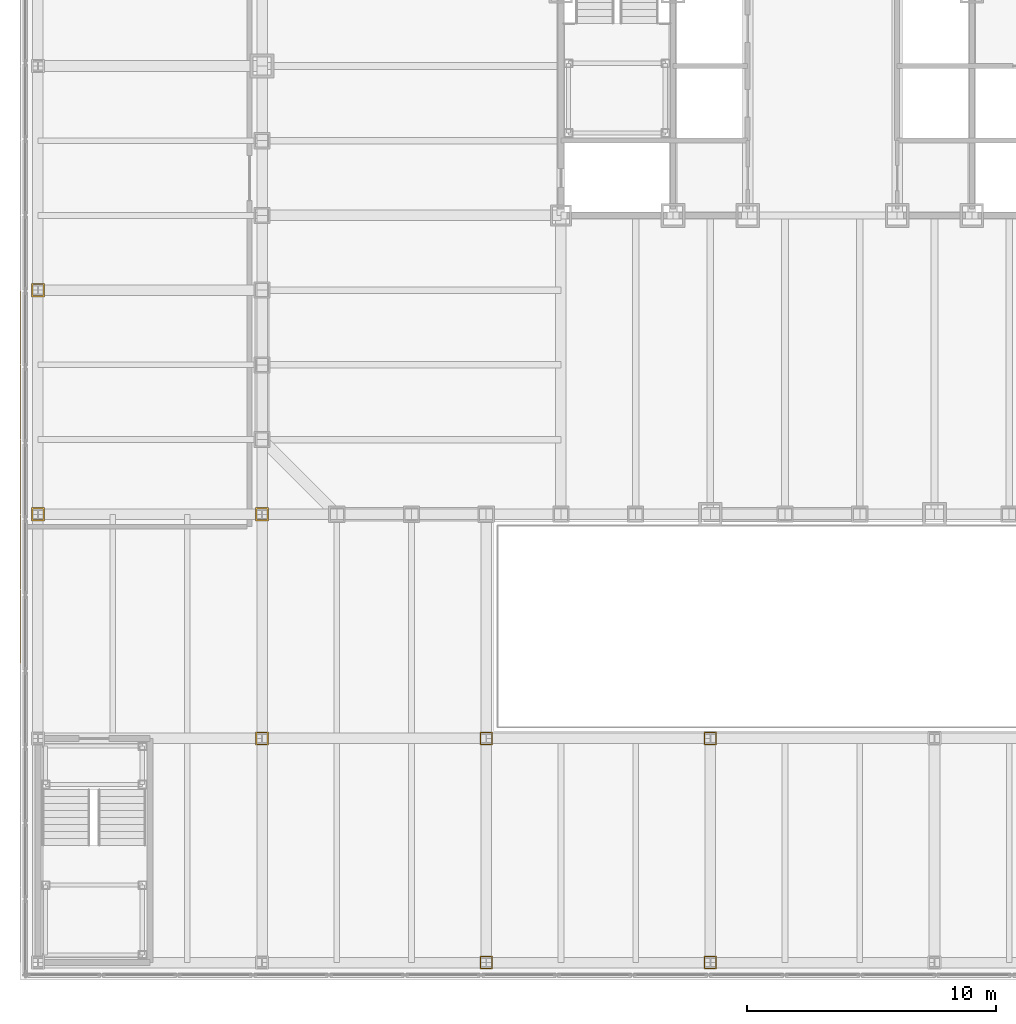
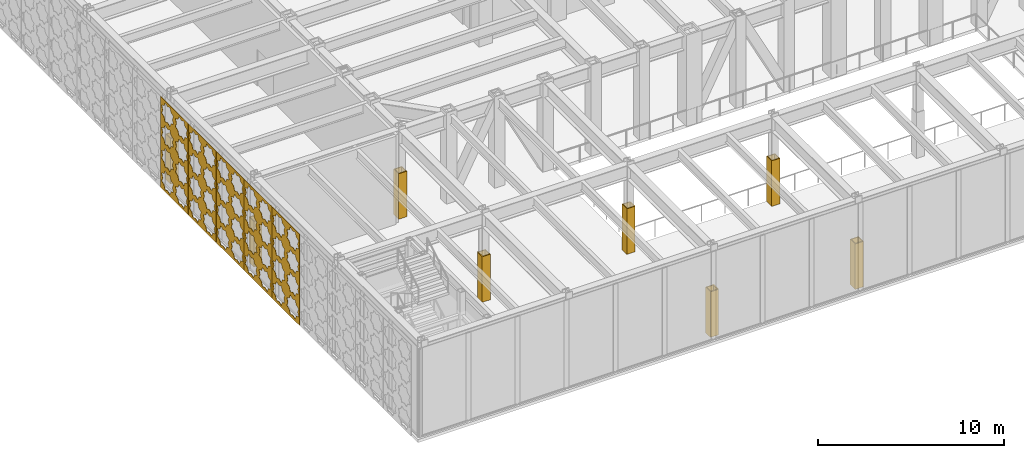
# One storey, part 24 of 32: 8 coverings, 5 shading devices.
"""IFC4 building model written with IfcOpenShell, lengths in metres."""

from ifc_helpers import new_model, si_unit, direction, frame, origin, place, context, subcontext, project, spatial, polyline, outline, extrude, material, layer, layer_set, type_object, element, save


model = new_model("IFC4")

# Units and contexts
model_context = context("Model", 3, precision=1e-05, world=origin(), true_north=direction((0.0, 1.0)))
body_context = subcontext(model_context, "Body", "Model", "MODEL_VIEW")
ifc_project = project(units=[si_unit("LENGTHUNIT", "METRE"), si_unit("AREAUNIT", "SQUARE_METRE"), si_unit("VOLUMEUNIT", "CUBIC_METRE"), si_unit("PLANEANGLEUNIT", "RADIAN"), si_unit("MASSUNIT", "GRAM", prefix="KILO")], contexts=[model_context])

# Site, building, storey
site_placement = place(None, origin())
site = spatial("IfcSite", under=ifc_project, at=site_placement, CompositionType="ELEMENT")
building_placement = place(site_placement, origin())
building = spatial("IfcBuilding", under=site, at=building_placement, Name="Chuquiago Exchange Tower", CompositionType="ELEMENT")
storey_placement = place(building_placement, frame((0.0, 0.0, 13.5)))
storey = spatial("IfcBuildingStorey", under=building, at=storey_placement, Name="L02", CompositionType="ELEMENT", Elevation=13.5)

# Coverings
ifc_material_1 = material(Name="Pale metal sheet casing on rails", Category="aluminium")
ifc_layer_1 = layer(ifc_material_1, 0.050048828125)
ifc_layer_set_1 = layer_set([ifc_layer_1], Name="CS1 column casing 50")
covering_type = type_object("IfcCoveringType", Name="CS1 column casing 50", PredefinedType="CLADDING", material=ifc_layer_set_1)
covering_1_placement = place(storey_placement, origin())
element("IfcCovering", 1, at=covering_1_placement, inside=storey, type_object=covering_type, Name="Column casing L02", PredefinedType="CLADDING", context=body_context, shape_type="SweptSolid", body=[
    extrude(outline(polyline([(-9.255615234375, -0.26708984375), (-8.744384765625, -0.26708984375), (-8.744384765625, 0.26708984375), (-9.255615234375, 0.26708984375), (-9.255615234375, -0.26708984375)]), holes=[polyline([(-9.205810546875, -0.21728515625), (-9.205810546875, 0.21728515625), (-8.794189453125, 0.21728515625), (-8.794189453125, -0.21728515625), (-9.205810546875, -0.21728515625)])]), origin(), (0.0, 0.0, 1.0), 3.0),
])
covering_2_placement = place(storey_placement, origin())
element("IfcCovering", 2, at=covering_2_placement, inside=storey, type_object=covering_type, Name="Column casing L02", PredefinedType="CLADDING", context=body_context, shape_type="SweptSolid", body=[
    extrude(outline(polyline([(-9.255615234375, 8.73291015625), (-8.744384765625, 8.73291015625), (-8.744384765625, 9.26708984375), (-9.255615234375, 9.26708984375), (-9.255615234375, 8.73291015625)]), holes=[polyline([(-9.205810546875, 8.78271484375), (-9.205810546875, 9.21728515625), (-8.794189453125, 9.21728515625), (-8.794189453125, 8.78271484375), (-9.205810546875, 8.78271484375)])]), origin(), (0.0, 0.0, 1.0), 3.0),
])
covering_3_placement = place(storey_placement, origin())
element("IfcCovering", 3, at=covering_3_placement, inside=storey, type_object=covering_type, Name="Column casing L02", PredefinedType="CLADDING", context=body_context, shape_type="SweptSolid", body=[
    extrude(outline(polyline([(-0.255615234375, -9.26708984375), (0.255615234375, -9.26708984375), (0.255615234375, -8.73291015625), (-0.255615234375, -8.73291015625), (-0.255615234375, -9.26708984375)]), holes=[polyline([(-0.205810546875, -9.21728515625), (-0.205810546875, -8.78271484375), (0.205810546875, -8.78271484375), (0.205810546875, -9.21728515625), (-0.205810546875, -9.21728515625)])]), origin(), (0.0, 0.0, 1.0), 3.0),
])
covering_4_placement = place(storey_placement, origin())
element("IfcCovering", 4, at=covering_4_placement, inside=storey, type_object=covering_type, Name="Column casing L02", PredefinedType="CLADDING", context=body_context, shape_type="SweptSolid", body=[
    extrude(outline(polyline([(-0.255615234375, -0.26708984375), (0.255615234375, -0.26708984375), (0.255615234375, 0.26708984375), (-0.255615234375, 0.26708984375), (-0.255615234375, -0.26708984375)]), holes=[polyline([(-0.205810546875, -0.21728515625), (-0.205810546875, 0.21728515625), (0.205810546875, 0.21728515625), (0.205810546875, -0.21728515625), (-0.205810546875, -0.21728515625)])]), origin(), (0.0, 0.0, 1.0), 3.0),
])
covering_5_placement = place(storey_placement, origin())
element("IfcCovering", 5, at=covering_5_placement, inside=storey, type_object=covering_type, Name="Column casing L02", PredefinedType="CLADDING", context=body_context, shape_type="SweptSolid", body=[
    extrude(outline(polyline([(8.744384765625, -18.26708984375), (9.255615234375, -18.26708984375), (9.255615234375, -17.73291015625), (8.744384765625, -17.73291015625), (8.744384765625, -18.26708984375)]), holes=[polyline([(8.794189453125, -18.21728515625), (8.794189453125, -17.78271484375), (9.205810546875, -17.78271484375), (9.205810546875, -18.21728515625), (8.794189453125, -18.21728515625)])]), origin(), (0.0, 0.0, 1.0), 3.0),
])
covering_6_placement = place(storey_placement, origin())
element("IfcCovering", 6, at=covering_6_placement, inside=storey, type_object=covering_type, Name="Column casing L02", PredefinedType="CLADDING", context=body_context, shape_type="SweptSolid", body=[
    extrude(outline(polyline([(8.744384765625, -9.26708984375), (9.255615234375, -9.26708984375), (9.255615234375, -8.73291015625), (8.744384765625, -8.73291015625), (8.744384765625, -9.26708984375)]), holes=[polyline([(8.794189453125, -9.21728515625), (8.794189453125, -8.78271484375), (9.205810546875, -8.78271484375), (9.205810546875, -9.21728515625), (8.794189453125, -9.21728515625)])]), origin(), (0.0, 0.0, 1.0), 3.0),
])
covering_7_placement = place(storey_placement, origin())
element("IfcCovering", 7, at=covering_7_placement, inside=storey, type_object=covering_type, Name="Column casing L02", PredefinedType="CLADDING", context=body_context, shape_type="SweptSolid", body=[
    extrude(outline(polyline([(17.744384765625, -18.26708984375), (18.255615234375, -18.26708984375), (18.255615234375, -17.73291015625), (17.744384765625, -17.73291015625), (17.744384765625, -18.26708984375)]), holes=[polyline([(17.794189453125, -18.21728515625), (17.794189453125, -17.78271484375), (18.205810546875, -17.78271484375), (18.205810546875, -18.21728515625), (17.794189453125, -18.21728515625)])]), origin(), (0.0, 0.0, 1.0), 3.0),
])
covering_8_placement = place(storey_placement, origin())
element("IfcCovering", 8, at=covering_8_placement, inside=storey, type_object=covering_type, Name="Column casing L02", PredefinedType="CLADDING", context=body_context, shape_type="SweptSolid", body=[
    extrude(outline(polyline([(17.744384765625, -9.26708984375), (18.255615234375, -9.26708984375), (18.255615234375, -8.73291015625), (17.744384765625, -8.73291015625), (17.744384765625, -9.26708984375)]), holes=[polyline([(17.794189453125, -9.21728515625), (17.794189453125, -8.78271484375), (18.205810546875, -8.78271484375), (18.205810546875, -9.21728515625), (17.794189453125, -9.21728515625)])]), origin(), (0.0, 0.0, 1.0), 3.0),
])

# Shading devices
ifc_material_2 = material(Name="Pale metal, perforated in an eight-point star pattern", Category="aluminium")
ifc_layer_2 = layer(ifc_material_2, 0.02001953125)
ifc_layer_set_2 = layer_set([ifc_layer_2], Name="SC1 mashrabiya screen 20")
shading_device_type = type_object("IfcShadingDeviceType", Name="SC1 mashrabiya screen 20", PredefinedType="SHUTTER", material=ifc_layer_set_2)
shading_device_1_placement = place(storey_placement, frame((-9.699951171875, -3.010009765625, -0.199951171875), z_axis=(0.0, 0.0, 1.0), x_axis=(0.0, -1.0, 0.0)))
element("IfcShadingDevice", 9, at=shading_device_1_placement, inside=storey, type_object=shading_device_type, Name="Mashrabiya screen L02 W 5", PredefinedType="SHUTTER", context=body_context, shape_type="SweptSolid", body=[
    extrude(outline(polyline([(0.0, 0.0), (2.97998046875, 0.0), (2.97998046875, 6.0), (0.0, 6.0), (0.0, 0.0)]), holes=[polyline([(1.26953125, 0.764892578125), (1.378173828125, 1.02734375), (1.115966796875, 1.135986328125), (1.00732421875, 1.398193359375), (0.7451171875, 1.28955078125), (0.482666015625, 1.398193359375), (0.3740234375, 1.135986328125), (0.11181640625, 1.02734375), (0.220458984375, 0.764892578125), (0.11181640625, 0.502685546875), (0.3740234375, 0.39404296875), (0.482666015625, 0.1318359375), (0.7451171875, 0.240234375), (1.00732421875, 0.1318359375), (1.115966796875, 0.39404296875), (1.378173828125, 0.502685546875), (1.26953125, 0.764892578125)]), polyline([(2.759521484375, 0.764892578125), (2.8681640625, 1.02734375), (2.60595703125, 1.135986328125), (2.497314453125, 1.398193359375), (2.235107421875, 1.28955078125), (1.97265625, 1.398193359375), (1.864013671875, 1.135986328125), (1.601806640625, 1.02734375), (1.71044921875, 0.764892578125), (1.601806640625, 0.502685546875), (1.864013671875, 0.39404296875), (1.97265625, 0.1318359375), (2.235107421875, 0.240234375), (2.497314453125, 0.1318359375), (2.60595703125, 0.39404296875), (2.8681640625, 0.502685546875), (2.759521484375, 0.764892578125)]), polyline([(1.26953125, 2.2548828125), (1.378173828125, 2.517333984375), (1.115966796875, 2.6259765625), (1.00732421875, 2.88818359375), (0.7451171875, 2.779541015625), (0.482666015625, 2.88818359375), (0.3740234375, 2.6259765625), (0.11181640625, 2.517333984375), (0.220458984375, 2.2548828125), (0.11181640625, 1.99267578125), (0.3740234375, 1.884033203125), (0.482666015625, 1.621826171875), (0.7451171875, 1.73046875), (1.00732421875, 1.621826171875), (1.115966796875, 1.884033203125), (1.378173828125, 1.99267578125), (1.26953125, 2.2548828125)]), polyline([(2.759521484375, 2.2548828125), (2.8681640625, 2.517333984375), (2.60595703125, 2.6259765625), (2.497314453125, 2.88818359375), (2.235107421875, 2.779541015625), (1.97265625, 2.88818359375), (1.864013671875, 2.6259765625), (1.601806640625, 2.517333984375), (1.71044921875, 2.2548828125), (1.601806640625, 1.99267578125), (1.864013671875, 1.884033203125), (1.97265625, 1.621826171875), (2.235107421875, 1.73046875), (2.497314453125, 1.621826171875), (2.60595703125, 1.884033203125), (2.8681640625, 1.99267578125), (2.759521484375, 2.2548828125)]), polyline([(1.26953125, 3.744873046875), (1.378173828125, 4.00732421875), (1.115966796875, 4.115966796875), (1.00732421875, 4.378173828125), (0.7451171875, 4.26953125), (0.482666015625, 4.378173828125), (0.3740234375, 4.115966796875), (0.11181640625, 4.00732421875), (0.220458984375, 3.744873046875), (0.11181640625, 3.482666015625), (0.3740234375, 3.3740234375), (0.482666015625, 3.11181640625), (0.7451171875, 3.220458984375), (1.00732421875, 3.11181640625), (1.115966796875, 3.3740234375), (1.378173828125, 3.482666015625), (1.26953125, 3.744873046875)]), polyline([(2.759521484375, 3.744873046875), (2.8681640625, 4.00732421875), (2.60595703125, 4.115966796875), (2.497314453125, 4.378173828125), (2.235107421875, 4.26953125), (1.97265625, 4.378173828125), (1.864013671875, 4.115966796875), (1.601806640625, 4.00732421875), (1.71044921875, 3.744873046875), (1.601806640625, 3.482666015625), (1.864013671875, 3.3740234375), (1.97265625, 3.11181640625), (2.235107421875, 3.220458984375), (2.497314453125, 3.11181640625), (2.60595703125, 3.3740234375), (2.8681640625, 3.482666015625), (2.759521484375, 3.744873046875)]), polyline([(1.26953125, 5.23486328125), (1.378173828125, 5.497314453125), (1.115966796875, 5.60595703125), (1.00732421875, 5.8681640625), (0.7451171875, 5.759521484375), (0.482666015625, 5.8681640625), (0.3740234375, 5.60595703125), (0.11181640625, 5.497314453125), (0.220458984375, 5.23486328125), (0.11181640625, 4.97265625), (0.3740234375, 4.864013671875), (0.482666015625, 4.601806640625), (0.7451171875, 4.71044921875), (1.00732421875, 4.601806640625), (1.115966796875, 4.864013671875), (1.378173828125, 4.97265625), (1.26953125, 5.23486328125)]), polyline([(2.759521484375, 5.23486328125), (2.8681640625, 5.497314453125), (2.60595703125, 5.60595703125), (2.497314453125, 5.8681640625), (2.235107421875, 5.759521484375), (1.97265625, 5.8681640625), (1.864013671875, 5.60595703125), (1.601806640625, 5.497314453125), (1.71044921875, 5.23486328125), (1.601806640625, 4.97265625), (1.864013671875, 4.864013671875), (1.97265625, 4.601806640625), (2.235107421875, 4.71044921875), (2.497314453125, 4.601806640625), (2.60595703125, 4.864013671875), (2.8681640625, 4.97265625), (2.759521484375, 5.23486328125)])]), frame((0.0, 0.0, 0.0), z_axis=(0.0, -1.0, 0.0), x_axis=(1.0, 0.0, 0.0)), (0.0, 0.0, 1.0), 0.02001953125),
])
shading_device_2_placement = place(storey_placement, frame((-9.699951171875, -0.010009765625, -0.199951171875), z_axis=(0.0, 0.0, 1.0), x_axis=(0.0, -1.0, 0.0)))
element("IfcShadingDevice", 10, at=shading_device_2_placement, inside=storey, type_object=shading_device_type, Name="Mashrabiya screen L02 W 6", PredefinedType="SHUTTER", context=body_context, shape_type="SweptSolid", body=[
    extrude(outline(polyline([(0.0, 0.0), (2.97998046875, 0.0), (2.97998046875, 6.0), (0.0, 6.0), (0.0, 0.0)]), holes=[polyline([(1.26953125, 0.764892578125), (1.378173828125, 1.02734375), (1.115966796875, 1.135986328125), (1.00732421875, 1.398193359375), (0.7451171875, 1.28955078125), (0.482666015625, 1.398193359375), (0.3740234375, 1.135986328125), (0.11181640625, 1.02734375), (0.220458984375, 0.764892578125), (0.11181640625, 0.502685546875), (0.3740234375, 0.39404296875), (0.482666015625, 0.1318359375), (0.7451171875, 0.240234375), (1.00732421875, 0.1318359375), (1.115966796875, 0.39404296875), (1.378173828125, 0.502685546875), (1.26953125, 0.764892578125)]), polyline([(2.759521484375, 0.764892578125), (2.8681640625, 1.02734375), (2.60595703125, 1.135986328125), (2.497314453125, 1.398193359375), (2.235107421875, 1.28955078125), (1.97265625, 1.398193359375), (1.864013671875, 1.135986328125), (1.601806640625, 1.02734375), (1.71044921875, 0.764892578125), (1.601806640625, 0.502685546875), (1.864013671875, 0.39404296875), (1.97265625, 0.1318359375), (2.235107421875, 0.240234375), (2.497314453125, 0.1318359375), (2.60595703125, 0.39404296875), (2.8681640625, 0.502685546875), (2.759521484375, 0.764892578125)]), polyline([(1.26953125, 2.2548828125), (1.378173828125, 2.517333984375), (1.115966796875, 2.6259765625), (1.00732421875, 2.88818359375), (0.7451171875, 2.779541015625), (0.482666015625, 2.88818359375), (0.3740234375, 2.6259765625), (0.11181640625, 2.517333984375), (0.220458984375, 2.2548828125), (0.11181640625, 1.99267578125), (0.3740234375, 1.884033203125), (0.482666015625, 1.621826171875), (0.7451171875, 1.73046875), (1.00732421875, 1.621826171875), (1.115966796875, 1.884033203125), (1.378173828125, 1.99267578125), (1.26953125, 2.2548828125)]), polyline([(2.759521484375, 2.2548828125), (2.8681640625, 2.517333984375), (2.60595703125, 2.6259765625), (2.497314453125, 2.88818359375), (2.235107421875, 2.779541015625), (1.97265625, 2.88818359375), (1.864013671875, 2.6259765625), (1.601806640625, 2.517333984375), (1.71044921875, 2.2548828125), (1.601806640625, 1.99267578125), (1.864013671875, 1.884033203125), (1.97265625, 1.621826171875), (2.235107421875, 1.73046875), (2.497314453125, 1.621826171875), (2.60595703125, 1.884033203125), (2.8681640625, 1.99267578125), (2.759521484375, 2.2548828125)]), polyline([(1.26953125, 3.744873046875), (1.378173828125, 4.00732421875), (1.115966796875, 4.115966796875), (1.00732421875, 4.378173828125), (0.7451171875, 4.26953125), (0.482666015625, 4.378173828125), (0.3740234375, 4.115966796875), (0.11181640625, 4.00732421875), (0.220458984375, 3.744873046875), (0.11181640625, 3.482666015625), (0.3740234375, 3.3740234375), (0.482666015625, 3.11181640625), (0.7451171875, 3.220458984375), (1.00732421875, 3.11181640625), (1.115966796875, 3.3740234375), (1.378173828125, 3.482666015625), (1.26953125, 3.744873046875)]), polyline([(2.759521484375, 3.744873046875), (2.8681640625, 4.00732421875), (2.60595703125, 4.115966796875), (2.497314453125, 4.378173828125), (2.235107421875, 4.26953125), (1.97265625, 4.378173828125), (1.864013671875, 4.115966796875), (1.601806640625, 4.00732421875), (1.71044921875, 3.744873046875), (1.601806640625, 3.482666015625), (1.864013671875, 3.3740234375), (1.97265625, 3.11181640625), (2.235107421875, 3.220458984375), (2.497314453125, 3.11181640625), (2.60595703125, 3.3740234375), (2.8681640625, 3.482666015625), (2.759521484375, 3.744873046875)]), polyline([(1.26953125, 5.23486328125), (1.378173828125, 5.497314453125), (1.115966796875, 5.60595703125), (1.00732421875, 5.8681640625), (0.7451171875, 5.759521484375), (0.482666015625, 5.8681640625), (0.3740234375, 5.60595703125), (0.11181640625, 5.497314453125), (0.220458984375, 5.23486328125), (0.11181640625, 4.97265625), (0.3740234375, 4.864013671875), (0.482666015625, 4.601806640625), (0.7451171875, 4.71044921875), (1.00732421875, 4.601806640625), (1.115966796875, 4.864013671875), (1.378173828125, 4.97265625), (1.26953125, 5.23486328125)]), polyline([(2.759521484375, 5.23486328125), (2.8681640625, 5.497314453125), (2.60595703125, 5.60595703125), (2.497314453125, 5.8681640625), (2.235107421875, 5.759521484375), (1.97265625, 5.8681640625), (1.864013671875, 5.60595703125), (1.601806640625, 5.497314453125), (1.71044921875, 5.23486328125), (1.601806640625, 4.97265625), (1.864013671875, 4.864013671875), (1.97265625, 4.601806640625), (2.235107421875, 4.71044921875), (2.497314453125, 4.601806640625), (2.60595703125, 4.864013671875), (2.8681640625, 4.97265625), (2.759521484375, 5.23486328125)])]), frame((0.0, 0.0, 0.0), z_axis=(0.0, -1.0, 0.0), x_axis=(1.0, 0.0, 0.0)), (0.0, 0.0, 1.0), 0.02001953125),
])
shading_device_3_placement = place(storey_placement, frame((-9.699951171875, 2.989990234375, -0.199951171875), z_axis=(0.0, 0.0, 1.0), x_axis=(0.0, -1.0, 0.0)))
element("IfcShadingDevice", 11, at=shading_device_3_placement, inside=storey, type_object=shading_device_type, Name="Mashrabiya screen L02 W 7", PredefinedType="SHUTTER", context=body_context, shape_type="SweptSolid", body=[
    extrude(outline(polyline([(0.0, 0.0), (2.97998046875, 0.0), (2.97998046875, 6.0), (0.0, 6.0), (0.0, 0.0)]), holes=[polyline([(1.26953125, 0.764892578125), (1.378173828125, 1.02734375), (1.115966796875, 1.135986328125), (1.00732421875, 1.398193359375), (0.7451171875, 1.28955078125), (0.482666015625, 1.398193359375), (0.3740234375, 1.135986328125), (0.11181640625, 1.02734375), (0.220458984375, 0.764892578125), (0.11181640625, 0.502685546875), (0.3740234375, 0.39404296875), (0.482666015625, 0.1318359375), (0.7451171875, 0.240234375), (1.00732421875, 0.1318359375), (1.115966796875, 0.39404296875), (1.378173828125, 0.502685546875), (1.26953125, 0.764892578125)]), polyline([(2.759521484375, 0.764892578125), (2.8681640625, 1.02734375), (2.60595703125, 1.135986328125), (2.497314453125, 1.398193359375), (2.235107421875, 1.28955078125), (1.97265625, 1.398193359375), (1.864013671875, 1.135986328125), (1.601806640625, 1.02734375), (1.71044921875, 0.764892578125), (1.601806640625, 0.502685546875), (1.864013671875, 0.39404296875), (1.97265625, 0.1318359375), (2.235107421875, 0.240234375), (2.497314453125, 0.1318359375), (2.60595703125, 0.39404296875), (2.8681640625, 0.502685546875), (2.759521484375, 0.764892578125)]), polyline([(1.26953125, 2.2548828125), (1.378173828125, 2.517333984375), (1.115966796875, 2.6259765625), (1.00732421875, 2.88818359375), (0.7451171875, 2.779541015625), (0.482666015625, 2.88818359375), (0.3740234375, 2.6259765625), (0.11181640625, 2.517333984375), (0.220458984375, 2.2548828125), (0.11181640625, 1.99267578125), (0.3740234375, 1.884033203125), (0.482666015625, 1.621826171875), (0.7451171875, 1.73046875), (1.00732421875, 1.621826171875), (1.115966796875, 1.884033203125), (1.378173828125, 1.99267578125), (1.26953125, 2.2548828125)]), polyline([(2.759521484375, 2.2548828125), (2.8681640625, 2.517333984375), (2.60595703125, 2.6259765625), (2.497314453125, 2.88818359375), (2.235107421875, 2.779541015625), (1.97265625, 2.88818359375), (1.864013671875, 2.6259765625), (1.601806640625, 2.517333984375), (1.71044921875, 2.2548828125), (1.601806640625, 1.99267578125), (1.864013671875, 1.884033203125), (1.97265625, 1.621826171875), (2.235107421875, 1.73046875), (2.497314453125, 1.621826171875), (2.60595703125, 1.884033203125), (2.8681640625, 1.99267578125), (2.759521484375, 2.2548828125)]), polyline([(1.26953125, 3.744873046875), (1.378173828125, 4.00732421875), (1.115966796875, 4.115966796875), (1.00732421875, 4.378173828125), (0.7451171875, 4.26953125), (0.482666015625, 4.378173828125), (0.3740234375, 4.115966796875), (0.11181640625, 4.00732421875), (0.220458984375, 3.744873046875), (0.11181640625, 3.482666015625), (0.3740234375, 3.3740234375), (0.482666015625, 3.11181640625), (0.7451171875, 3.220458984375), (1.00732421875, 3.11181640625), (1.115966796875, 3.3740234375), (1.378173828125, 3.482666015625), (1.26953125, 3.744873046875)]), polyline([(2.759521484375, 3.744873046875), (2.8681640625, 4.00732421875), (2.60595703125, 4.115966796875), (2.497314453125, 4.378173828125), (2.235107421875, 4.26953125), (1.97265625, 4.378173828125), (1.864013671875, 4.115966796875), (1.601806640625, 4.00732421875), (1.71044921875, 3.744873046875), (1.601806640625, 3.482666015625), (1.864013671875, 3.3740234375), (1.97265625, 3.11181640625), (2.235107421875, 3.220458984375), (2.497314453125, 3.11181640625), (2.60595703125, 3.3740234375), (2.8681640625, 3.482666015625), (2.759521484375, 3.744873046875)]), polyline([(1.26953125, 5.23486328125), (1.378173828125, 5.497314453125), (1.115966796875, 5.60595703125), (1.00732421875, 5.8681640625), (0.7451171875, 5.759521484375), (0.482666015625, 5.8681640625), (0.3740234375, 5.60595703125), (0.11181640625, 5.497314453125), (0.220458984375, 5.23486328125), (0.11181640625, 4.97265625), (0.3740234375, 4.864013671875), (0.482666015625, 4.601806640625), (0.7451171875, 4.71044921875), (1.00732421875, 4.601806640625), (1.115966796875, 4.864013671875), (1.378173828125, 4.97265625), (1.26953125, 5.23486328125)]), polyline([(2.759521484375, 5.23486328125), (2.8681640625, 5.497314453125), (2.60595703125, 5.60595703125), (2.497314453125, 5.8681640625), (2.235107421875, 5.759521484375), (1.97265625, 5.8681640625), (1.864013671875, 5.60595703125), (1.601806640625, 5.497314453125), (1.71044921875, 5.23486328125), (1.601806640625, 4.97265625), (1.864013671875, 4.864013671875), (1.97265625, 4.601806640625), (2.235107421875, 4.71044921875), (2.497314453125, 4.601806640625), (2.60595703125, 4.864013671875), (2.8681640625, 4.97265625), (2.759521484375, 5.23486328125)])]), frame((0.0, 0.0, 0.0), z_axis=(0.0, -1.0, 0.0), x_axis=(1.0, 0.0, 0.0)), (0.0, 0.0, 1.0), 0.02001953125),
])
shading_device_4_placement = place(storey_placement, frame((-9.699951171875, 5.989990234375, -0.199951171875), z_axis=(0.0, 0.0, 1.0), x_axis=(0.0, -1.0, 0.0)))
element("IfcShadingDevice", 12, at=shading_device_4_placement, inside=storey, type_object=shading_device_type, Name="Mashrabiya screen L02 W 8", PredefinedType="SHUTTER", context=body_context, shape_type="SweptSolid", body=[
    extrude(outline(polyline([(0.0, 0.0), (2.97998046875, 0.0), (2.97998046875, 6.0), (0.0, 6.0), (0.0, 0.0)]), holes=[polyline([(1.26953125, 0.764892578125), (1.378173828125, 1.02734375), (1.115966796875, 1.135986328125), (1.00732421875, 1.398193359375), (0.7451171875, 1.28955078125), (0.482666015625, 1.398193359375), (0.3740234375, 1.135986328125), (0.11181640625, 1.02734375), (0.220458984375, 0.764892578125), (0.11181640625, 0.502685546875), (0.3740234375, 0.39404296875), (0.482666015625, 0.1318359375), (0.7451171875, 0.240234375), (1.00732421875, 0.1318359375), (1.115966796875, 0.39404296875), (1.378173828125, 0.502685546875), (1.26953125, 0.764892578125)]), polyline([(2.759521484375, 0.764892578125), (2.8681640625, 1.02734375), (2.60595703125, 1.135986328125), (2.497314453125, 1.398193359375), (2.235107421875, 1.28955078125), (1.97265625, 1.398193359375), (1.864013671875, 1.135986328125), (1.601806640625, 1.02734375), (1.71044921875, 0.764892578125), (1.601806640625, 0.502685546875), (1.864013671875, 0.39404296875), (1.97265625, 0.1318359375), (2.235107421875, 0.240234375), (2.497314453125, 0.1318359375), (2.60595703125, 0.39404296875), (2.8681640625, 0.502685546875), (2.759521484375, 0.764892578125)]), polyline([(1.26953125, 2.2548828125), (1.378173828125, 2.517333984375), (1.115966796875, 2.6259765625), (1.00732421875, 2.88818359375), (0.7451171875, 2.779541015625), (0.482666015625, 2.88818359375), (0.3740234375, 2.6259765625), (0.11181640625, 2.517333984375), (0.220458984375, 2.2548828125), (0.11181640625, 1.99267578125), (0.3740234375, 1.884033203125), (0.482666015625, 1.621826171875), (0.7451171875, 1.73046875), (1.00732421875, 1.621826171875), (1.115966796875, 1.884033203125), (1.378173828125, 1.99267578125), (1.26953125, 2.2548828125)]), polyline([(2.759521484375, 2.2548828125), (2.8681640625, 2.517333984375), (2.60595703125, 2.6259765625), (2.497314453125, 2.88818359375), (2.235107421875, 2.779541015625), (1.97265625, 2.88818359375), (1.864013671875, 2.6259765625), (1.601806640625, 2.517333984375), (1.71044921875, 2.2548828125), (1.601806640625, 1.99267578125), (1.864013671875, 1.884033203125), (1.97265625, 1.621826171875), (2.235107421875, 1.73046875), (2.497314453125, 1.621826171875), (2.60595703125, 1.884033203125), (2.8681640625, 1.99267578125), (2.759521484375, 2.2548828125)]), polyline([(1.26953125, 3.744873046875), (1.378173828125, 4.00732421875), (1.115966796875, 4.115966796875), (1.00732421875, 4.378173828125), (0.7451171875, 4.26953125), (0.482666015625, 4.378173828125), (0.3740234375, 4.115966796875), (0.11181640625, 4.00732421875), (0.220458984375, 3.744873046875), (0.11181640625, 3.482666015625), (0.3740234375, 3.3740234375), (0.482666015625, 3.11181640625), (0.7451171875, 3.220458984375), (1.00732421875, 3.11181640625), (1.115966796875, 3.3740234375), (1.378173828125, 3.482666015625), (1.26953125, 3.744873046875)]), polyline([(2.759521484375, 3.744873046875), (2.8681640625, 4.00732421875), (2.60595703125, 4.115966796875), (2.497314453125, 4.378173828125), (2.235107421875, 4.26953125), (1.97265625, 4.378173828125), (1.864013671875, 4.115966796875), (1.601806640625, 4.00732421875), (1.71044921875, 3.744873046875), (1.601806640625, 3.482666015625), (1.864013671875, 3.3740234375), (1.97265625, 3.11181640625), (2.235107421875, 3.220458984375), (2.497314453125, 3.11181640625), (2.60595703125, 3.3740234375), (2.8681640625, 3.482666015625), (2.759521484375, 3.744873046875)]), polyline([(1.26953125, 5.23486328125), (1.378173828125, 5.497314453125), (1.115966796875, 5.60595703125), (1.00732421875, 5.8681640625), (0.7451171875, 5.759521484375), (0.482666015625, 5.8681640625), (0.3740234375, 5.60595703125), (0.11181640625, 5.497314453125), (0.220458984375, 5.23486328125), (0.11181640625, 4.97265625), (0.3740234375, 4.864013671875), (0.482666015625, 4.601806640625), (0.7451171875, 4.71044921875), (1.00732421875, 4.601806640625), (1.115966796875, 4.864013671875), (1.378173828125, 4.97265625), (1.26953125, 5.23486328125)]), polyline([(2.759521484375, 5.23486328125), (2.8681640625, 5.497314453125), (2.60595703125, 5.60595703125), (2.497314453125, 5.8681640625), (2.235107421875, 5.759521484375), (1.97265625, 5.8681640625), (1.864013671875, 5.60595703125), (1.601806640625, 5.497314453125), (1.71044921875, 5.23486328125), (1.601806640625, 4.97265625), (1.864013671875, 4.864013671875), (1.97265625, 4.601806640625), (2.235107421875, 4.71044921875), (2.497314453125, 4.601806640625), (2.60595703125, 4.864013671875), (2.8681640625, 4.97265625), (2.759521484375, 5.23486328125)])]), frame((0.0, 0.0, 0.0), z_axis=(0.0, -1.0, 0.0), x_axis=(1.0, 0.0, 0.0)), (0.0, 0.0, 1.0), 0.02001953125),
])
shading_device_5_placement = place(storey_placement, frame((-9.699951171875, 8.989990234375, -0.199951171875), z_axis=(0.0, 0.0, 1.0), x_axis=(0.0, -1.0, 0.0)))
element("IfcShadingDevice", 13, at=shading_device_5_placement, inside=storey, type_object=shading_device_type, Name="Mashrabiya screen L02 W 9", PredefinedType="SHUTTER", context=body_context, shape_type="SweptSolid", body=[
    extrude(outline(polyline([(0.0, 0.0), (2.97998046875, 0.0), (2.97998046875, 6.0), (0.0, 6.0), (0.0, 0.0)]), holes=[polyline([(1.26953125, 0.764892578125), (1.378173828125, 1.02734375), (1.115966796875, 1.135986328125), (1.00732421875, 1.398193359375), (0.7451171875, 1.28955078125), (0.482666015625, 1.398193359375), (0.3740234375, 1.135986328125), (0.11181640625, 1.02734375), (0.220458984375, 0.764892578125), (0.11181640625, 0.502685546875), (0.3740234375, 0.39404296875), (0.482666015625, 0.1318359375), (0.7451171875, 0.240234375), (1.00732421875, 0.1318359375), (1.115966796875, 0.39404296875), (1.378173828125, 0.502685546875), (1.26953125, 0.764892578125)]), polyline([(2.759521484375, 0.764892578125), (2.8681640625, 1.02734375), (2.60595703125, 1.135986328125), (2.497314453125, 1.398193359375), (2.235107421875, 1.28955078125), (1.97265625, 1.398193359375), (1.864013671875, 1.135986328125), (1.601806640625, 1.02734375), (1.71044921875, 0.764892578125), (1.601806640625, 0.502685546875), (1.864013671875, 0.39404296875), (1.97265625, 0.1318359375), (2.235107421875, 0.240234375), (2.497314453125, 0.1318359375), (2.60595703125, 0.39404296875), (2.8681640625, 0.502685546875), (2.759521484375, 0.764892578125)]), polyline([(1.26953125, 2.2548828125), (1.378173828125, 2.517333984375), (1.115966796875, 2.6259765625), (1.00732421875, 2.88818359375), (0.7451171875, 2.779541015625), (0.482666015625, 2.88818359375), (0.3740234375, 2.6259765625), (0.11181640625, 2.517333984375), (0.220458984375, 2.2548828125), (0.11181640625, 1.99267578125), (0.3740234375, 1.884033203125), (0.482666015625, 1.621826171875), (0.7451171875, 1.73046875), (1.00732421875, 1.621826171875), (1.115966796875, 1.884033203125), (1.378173828125, 1.99267578125), (1.26953125, 2.2548828125)]), polyline([(2.759521484375, 2.2548828125), (2.8681640625, 2.517333984375), (2.60595703125, 2.6259765625), (2.497314453125, 2.88818359375), (2.235107421875, 2.779541015625), (1.97265625, 2.88818359375), (1.864013671875, 2.6259765625), (1.601806640625, 2.517333984375), (1.71044921875, 2.2548828125), (1.601806640625, 1.99267578125), (1.864013671875, 1.884033203125), (1.97265625, 1.621826171875), (2.235107421875, 1.73046875), (2.497314453125, 1.621826171875), (2.60595703125, 1.884033203125), (2.8681640625, 1.99267578125), (2.759521484375, 2.2548828125)]), polyline([(1.26953125, 3.744873046875), (1.378173828125, 4.00732421875), (1.115966796875, 4.115966796875), (1.00732421875, 4.378173828125), (0.7451171875, 4.26953125), (0.482666015625, 4.378173828125), (0.3740234375, 4.115966796875), (0.11181640625, 4.00732421875), (0.220458984375, 3.744873046875), (0.11181640625, 3.482666015625), (0.3740234375, 3.3740234375), (0.482666015625, 3.11181640625), (0.7451171875, 3.220458984375), (1.00732421875, 3.11181640625), (1.115966796875, 3.3740234375), (1.378173828125, 3.482666015625), (1.26953125, 3.744873046875)]), polyline([(2.759521484375, 3.744873046875), (2.8681640625, 4.00732421875), (2.60595703125, 4.115966796875), (2.497314453125, 4.378173828125), (2.235107421875, 4.26953125), (1.97265625, 4.378173828125), (1.864013671875, 4.115966796875), (1.601806640625, 4.00732421875), (1.71044921875, 3.744873046875), (1.601806640625, 3.482666015625), (1.864013671875, 3.3740234375), (1.97265625, 3.11181640625), (2.235107421875, 3.220458984375), (2.497314453125, 3.11181640625), (2.60595703125, 3.3740234375), (2.8681640625, 3.482666015625), (2.759521484375, 3.744873046875)]), polyline([(1.26953125, 5.23486328125), (1.378173828125, 5.497314453125), (1.115966796875, 5.60595703125), (1.00732421875, 5.8681640625), (0.7451171875, 5.759521484375), (0.482666015625, 5.8681640625), (0.3740234375, 5.60595703125), (0.11181640625, 5.497314453125), (0.220458984375, 5.23486328125), (0.11181640625, 4.97265625), (0.3740234375, 4.864013671875), (0.482666015625, 4.601806640625), (0.7451171875, 4.71044921875), (1.00732421875, 4.601806640625), (1.115966796875, 4.864013671875), (1.378173828125, 4.97265625), (1.26953125, 5.23486328125)]), polyline([(2.759521484375, 5.23486328125), (2.8681640625, 5.497314453125), (2.60595703125, 5.60595703125), (2.497314453125, 5.8681640625), (2.235107421875, 5.759521484375), (1.97265625, 5.8681640625), (1.864013671875, 5.60595703125), (1.601806640625, 5.497314453125), (1.71044921875, 5.23486328125), (1.601806640625, 4.97265625), (1.864013671875, 4.864013671875), (1.97265625, 4.601806640625), (2.235107421875, 4.71044921875), (2.497314453125, 4.601806640625), (2.60595703125, 4.864013671875), (2.8681640625, 4.97265625), (2.759521484375, 5.23486328125)])]), frame((0.0, 0.0, 0.0), z_axis=(0.0, -1.0, 0.0), x_axis=(1.0, 0.0, 0.0)), (0.0, 0.0, 1.0), 0.02001953125),
])

save(model, "model.ifc")
